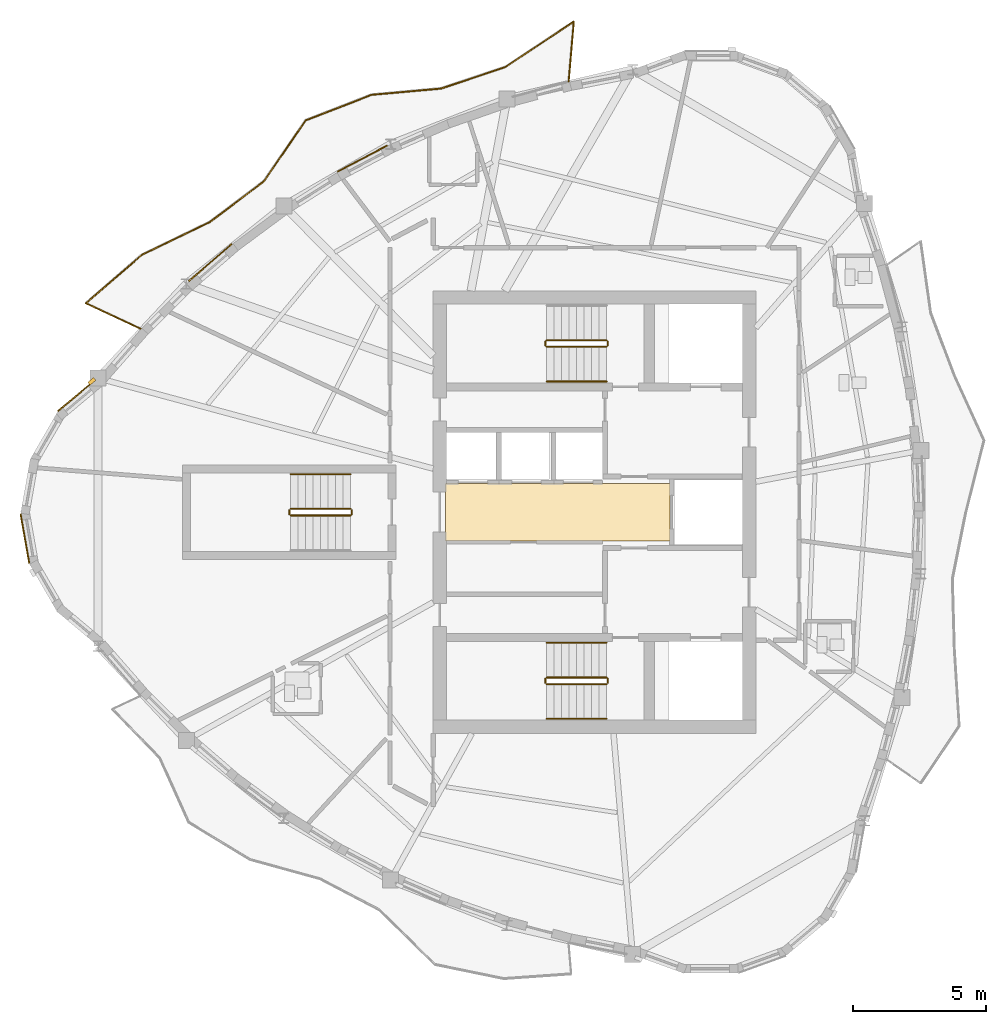
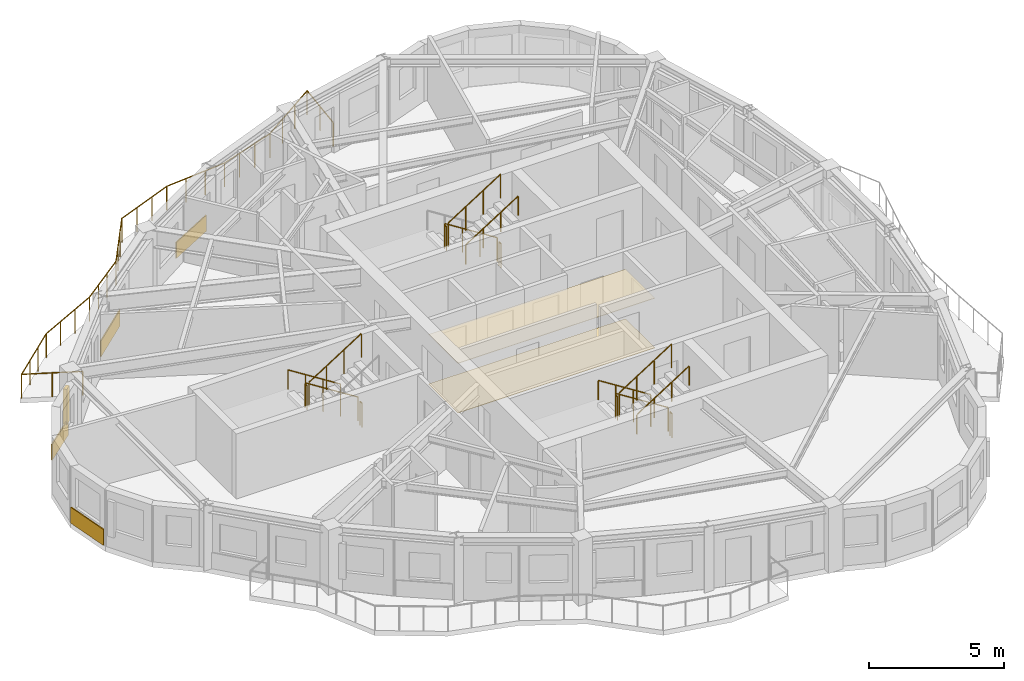
# One storey, part 10 of 12: 17 railings, 6 coverings, 1 shading device.
"""IFC4 building model written with IfcOpenShell, lengths in metres."""

from ifc_helpers import new_model, si_unit, direction, frame, origin, origin_2d, place, context, subcontext, project, spatial, polyline, rectangle, circle, outline, extrude, source, transform, mapped, material, layer, layer_set, type_object, element, save


model = new_model("IFC4")

# Units and contexts
model_context = context("Model", 3, precision=1e-05, world=origin(), true_north=direction((0.0, 1.0)))
body_context = subcontext(model_context, "Body", "Model", "MODEL_VIEW")
ifc_project = project(units=[si_unit("LENGTHUNIT", "METRE"), si_unit("AREAUNIT", "SQUARE_METRE"), si_unit("VOLUMEUNIT", "CUBIC_METRE"), si_unit("PLANEANGLEUNIT", "RADIAN"), si_unit("MASSUNIT", "GRAM", prefix="KILO")], contexts=[model_context])

# Site, building, storey
site_placement = place(None, origin())
site = spatial("IfcSite", under=ifc_project, at=site_placement, CompositionType="ELEMENT")
building_placement = place(site_placement, origin())
building = spatial("IfcBuilding", under=site, at=building_placement, Name="Qafzar Sky-Pleat Residences", CompositionType="ELEMENT")
storey_placement = place(building_placement, frame((0.0, 0.0, 202.0)))
storey = spatial("IfcBuildingStorey", under=building, at=storey_placement, Name="L60", CompositionType="ELEMENT", Elevation=202.0)

# Coverings
ifc_material_1 = material(Name="Perforated acoustic gypsum board ceiling")
ifc_layer_1 = layer(ifc_material_1, 0.02001953125)
ifc_layer_set_1 = layer_set([ifc_layer_1], Name="Perforated acoustic gypsum board ceiling")
covering_type_1 = type_object("IfcCoveringType", Name="COV-CEIL-ACOUSTIC", PredefinedType="CEILING", material=ifc_layer_set_1)
covering_1_placement = place(storey_placement, frame((0.0, 0.0, 2.239990234375)))
element("IfcCovering", 1, at=covering_1_placement, inside=storey, type_object=covering_type_1, Name="L60 Passenger Lift Lobby Acoustic Ceiling", PredefinedType="CEILING", context=body_context, shape_type="SweptSolid", body=[
    extrude(outline(polyline([(33.179931640625, 24.919921875), (24.77001953125, 24.919921875), (24.77001953125, 27.080078125), (33.179931640625, 27.080078125), (33.179931640625, 24.919921875)])), origin(), (0.0, 0.0, 1.0), 0.02001953125),
])
ifc_material_2 = material(Name="Honed porcelain and Riyadh stone tile flooring", Category="masonry")
ifc_layer_2 = layer(ifc_material_2, 0.02001953125)
ifc_layer_set_2 = layer_set([ifc_layer_2], Name="Honed porcelain and Riyadh stone tile flooring")
covering_type_2 = type_object("IfcCoveringType", Name="COV-FLR-PORCELAIN", PredefinedType="FLOORING", material=ifc_layer_set_2)
covering_2_placement = place(storey_placement, origin())
element("IfcCovering", 2, at=covering_2_placement, inside=storey, type_object=covering_type_2, Name="L60 Passenger Lift Lobby Honed Stone Flooring", PredefinedType="FLOORING", context=body_context, shape_type="SweptSolid", body=[
    extrude(outline(polyline([(33.179931640625, 24.919921875), (24.77001953125, 24.919921875), (24.77001953125, 27.080078125), (33.179931640625, 27.080078125), (33.179931640625, 24.919921875)])), origin(), (0.0, 0.0, 1.0), 0.02001953125),
])

# Shading device
ifc_material_3 = material(Name="Honed Riyadh limestone solar fin", Category="masonry")
ifc_layer_3 = layer(ifc_material_3, 0.139892578125)
ifc_layer_set_3 = layer_set([ifc_layer_3], Name="Honed Riyadh limestone solar fin")
shading_device_type = type_object("IfcShadingDeviceType", Name="SHD-FIN-STONE", PredefinedType="SHUTTER", material=ifc_layer_set_3)
shared_shape_1 = source(origin(), body_context, "Body", "SweptSolid", [
    extrude(rectangle(XDim=0.139892578125, YDim=0.280029296875, at=origin_2d()), origin(), (0.0, 0.0, 1.0), 1.60009765625),
])
shading_device_placement = place(storey_placement, frame((11.498046875, 30.90478515625, 0.599853515625), z_axis=(0.0, 0.0, 1.0), x_axis=(-0.642754210861, 0.76607246682, 0.0)))
element("IfcShadingDevice", 3, at=shading_device_placement, inside=storey, type_object=shading_device_type, Name="L60 Limestone Solar Fin 1", PredefinedType="SHUTTER", context=body_context, shape_type="MappedRepresentation", body=[
    mapped(shared_shape_1, transform((0.0, 0.0, 0.0), x_axis=(1.0, 0.0, 0.0), y_axis=(0.0, 1.0, 0.0), z_axis=(0.0, 0.0, 1.0), scale=1.0)),
])

# Covering
ifc_material_4 = material(Name="Honed Riyadh Tuwaiq limestone cladding", Category="masonry")
ifc_layer_4 = layer(ifc_material_4, 0.044921875)
ifc_layer_set_4 = layer_set([ifc_layer_4], Name="Honed Riyadh Tuwaiq limestone cladding")
covering_type_3 = type_object("IfcCoveringType", Name="COV-CLAD-STONE", PredefinedType="CLADDING", material=ifc_layer_set_4)
shared_shape_2 = source(origin(), body_context, "Body", "SweptSolid", [
    extrude(rectangle(XDim=1.88134765625, YDim=0.044921875, at=origin_2d()), origin(), (0.0, 0.0, 1.0), 0.719970703125),
])
covering_3_placement = place(storey_placement, frame((8.993408203125, 25.00439453125, 0.02001953125), z_axis=(0.0, 0.0, 1.0), x_axis=(0.173662519465, -0.984805224059, 0.0)))
element("IfcCovering", 4, at=covering_3_placement, inside=storey, type_object=covering_type_3, Name="L60 Riyadh Limestone Spandrel Cladding 4", PredefinedType="CLADDING", context=body_context, shape_type="MappedRepresentation", body=[
    mapped(shared_shape_2, transform((0.0, 0.0, 0.0), x_axis=(1.0, 0.0, 0.0), y_axis=(0.0, 1.0, 0.0), z_axis=(0.0, 0.0, 1.0), scale=1.0)),
])

# Railing
ifc_material_5 = material(Name="Laminated glass and bronze steel balustrade", Category="steel")
railing_type_1 = type_object("IfcRailingType", Name="RAIL-BAL-1100", PredefinedType="BALUSTRADE", material=ifc_material_5)
shared_shape_3 = source(origin(), body_context, "Body", "SweptSolid", [
    extrude(circle(Radius=0.02392578125, at=origin_2d()), frame((0.0, 0.0, 1.076171875), z_axis=(0.085358453155, 0.996350307108, 0.0), x_axis=(-0.996350307108, 0.085358453155, 0.0)), (0.0, 0.0, 1.0), 2.27099609375),
    extrude(circle(Radius=0.02392578125, at=origin_2d()), frame((0.19384765625, 2.2626953125, 1.076171875), z_axis=(-0.833250144576, -0.552896189682, 0.0), x_axis=(0.552896189682, -0.833250144576, 0.0)), (0.0, 0.0, 1.0), 3.093994140625),
    extrude(circle(Radius=0.02392578125, at=origin_2d()), frame((-2.38427734375, 0.552001953125, 1.076171875), z_axis=(-0.948692940758, -0.316198836425, 0.0), x_axis=(0.316198836425, -0.948692940758, 0.0)), (0.0, 0.0, 1.0), 2.53173828125),
    extrude(circle(Radius=0.02392578125, at=origin_2d()), frame((-4.7861328125, -0.24853515625, 1.076171875), z_axis=(-0.99596725281, -0.089717508496, 0.0), x_axis=(0.089717508496, -0.99596725281, 0.0)), (0.0, 0.0, 1.0), 2.609619140625),
    extrude(circle(Radius=0.02392578125, at=origin_2d()), frame((-7.38525390625, -0.482666015625, 1.076171875), z_axis=(-0.932168391901, -0.362024984139, 0.0), x_axis=(0.362024984139, -0.932168391901, 0.0)), (0.0, 0.0, 1.0), 2.656982421875),
    extrude(circle(Radius=0.02392578125, at=origin_2d()), frame((-9.862060546875, -1.444580078125, 1.076171875), z_axis=(-0.565649900182, -0.824645493787, 0.0), x_axis=(0.824645493787, -0.565649900182, 0.0)), (0.0, 0.0, 1.0), 2.771484375),
    extrude(circle(Radius=0.02392578125, at=origin_2d()), frame((-11.4296875, -3.72998046875, 1.076171875), z_axis=(-0.798504701053, -0.601988573311, 0.0), x_axis=(0.601988573311, -0.798504701053, 0.0)), (0.0, 0.0, 1.0), 2.511962890625),
    extrude(circle(Radius=0.02392578125, at=origin_2d()), frame((-13.435546875, -5.2421875, 1.076171875), z_axis=(-0.900251456153, -0.435370320181, 0.0), x_axis=(0.435370320181, -0.900251456153, 0.0)), (0.0, 0.0, 1.0), 2.845947265625),
    extrude(circle(Radius=0.02392578125, at=origin_2d()), frame((-15.99755859375, -6.481201171875, 1.076171875), z_axis=(-0.756453597998, -0.654047363786, 0.0), x_axis=(0.654047363786, -0.756453597998, 0.0)), (0.0, 0.0, 1.0), 2.77978515625),
    extrude(circle(Radius=0.02392578125, at=origin_2d()), frame((-18.100341796875, -8.29931640625, 1.076171875), z_axis=(0.905511863564, -0.424320945683, 0.0), x_axis=(0.424320945683, 0.905511863564, 0.0)), (0.0, 0.0, 1.0), 2.27099609375),
    extrude(circle(Radius=0.02099609375, at=origin_2d()), origin(), (0.0, 0.0, 1.0), 1.052001953125),
    extrude(circle(Radius=0.02099609375, at=origin_2d()), frame((0.096923828125, 1.13134765625, 0.0)), (0.0, 0.0, 1.0), 1.052001953125),
    extrude(circle(Radius=0.02099609375, at=origin_2d()), frame((0.19384765625, 2.2626953125, 0.0)), (0.0, 0.0, 1.0), 1.052001953125),
    extrude(circle(Radius=0.02099609375, at=origin_2d()), frame((-0.66552734375, 1.6923828125, 0.0)), (0.0, 0.0, 1.0), 1.052001953125),
    extrude(circle(Radius=0.02099609375, at=origin_2d()), frame((-1.52490234375, 1.122314453125, 0.0)), (0.0, 0.0, 1.0), 1.052001953125),
    extrude(circle(Radius=0.02099609375, at=origin_2d()), frame((-2.38427734375, 0.552001953125, 0.0)), (0.0, 0.0, 1.0), 1.052001953125),
    extrude(circle(Radius=0.02099609375, at=origin_2d()), frame((-3.184814453125, 0.28515625, 0.0)), (0.0, 0.0, 1.0), 1.052001953125),
    extrude(circle(Radius=0.02099609375, at=origin_2d()), frame((-3.985595703125, 0.018310546875, 0.0)), (0.0, 0.0, 1.0), 1.052001953125),
    extrude(circle(Radius=0.02099609375, at=origin_2d()), frame((-4.7861328125, -0.24853515625, 0.0)), (0.0, 0.0, 1.0), 1.052001953125),
    extrude(circle(Radius=0.02099609375, at=origin_2d()), frame((-5.652587890625, -0.32666015625, 0.0)), (0.0, 0.0, 1.0), 1.052001953125),
    extrude(circle(Radius=0.02099609375, at=origin_2d()), frame((-6.518798828125, -0.404541015625, 0.0)), (0.0, 0.0, 1.0), 1.052001953125),
    extrude(circle(Radius=0.02099609375, at=origin_2d()), frame((-7.38525390625, -0.482666015625, 0.0)), (0.0, 0.0, 1.0), 1.052001953125),
    extrude(circle(Radius=0.02099609375, at=origin_2d()), frame((-8.2109375, -0.80322265625, 0.0)), (0.0, 0.0, 1.0), 1.052001953125),
    extrude(circle(Radius=0.02099609375, at=origin_2d()), frame((-9.036376953125, -1.1240234375, 0.0)), (0.0, 0.0, 1.0), 1.052001953125),
    extrude(circle(Radius=0.02099609375, at=origin_2d()), frame((-9.862060546875, -1.444580078125, 0.0)), (0.0, 0.0, 1.0), 1.052001953125),
    extrude(circle(Radius=0.02099609375, at=origin_2d()), frame((-10.384521484375, -2.206298828125, 0.0)), (0.0, 0.0, 1.0), 1.052001953125),
    extrude(circle(Radius=0.02099609375, at=origin_2d()), frame((-10.9072265625, -2.96826171875, 0.0)), (0.0, 0.0, 1.0), 1.052001953125),
    extrude(circle(Radius=0.02099609375, at=origin_2d()), frame((-11.4296875, -3.72998046875, 0.0)), (0.0, 0.0, 1.0), 1.052001953125),
    extrude(circle(Radius=0.02099609375, at=origin_2d()), frame((-12.098388671875, -4.234130859375, 0.0)), (0.0, 0.0, 1.0), 1.052001953125),
    extrude(circle(Radius=0.02099609375, at=origin_2d()), frame((-12.766845703125, -4.738037109375, 0.0)), (0.0, 0.0, 1.0), 1.052001953125),
    extrude(circle(Radius=0.02099609375, at=origin_2d()), frame((-13.435546875, -5.2421875, 0.0)), (0.0, 0.0, 1.0), 1.052001953125),
    extrude(circle(Radius=0.02099609375, at=origin_2d()), frame((-14.28955078125, -5.6552734375, 0.0)), (0.0, 0.0, 1.0), 1.052001953125),
    extrude(circle(Radius=0.02099609375, at=origin_2d()), frame((-15.1435546875, -6.068115234375, 0.0)), (0.0, 0.0, 1.0), 1.052001953125),
    extrude(circle(Radius=0.02099609375, at=origin_2d()), frame((-15.99755859375, -6.481201171875, 0.0)), (0.0, 0.0, 1.0), 1.052001953125),
    extrude(circle(Radius=0.02099609375, at=origin_2d()), frame((-16.698486328125, -7.087158203125, 0.0)), (0.0, 0.0, 1.0), 1.052001953125),
    extrude(circle(Radius=0.02099609375, at=origin_2d()), frame((-17.3994140625, -7.693359375, 0.0)), (0.0, 0.0, 1.0), 1.052001953125),
    extrude(circle(Radius=0.02099609375, at=origin_2d()), frame((-18.100341796875, -8.29931640625, 0.0)), (0.0, 0.0, 1.0), 1.052001953125),
    extrude(circle(Radius=0.02099609375, at=origin_2d()), frame((-17.072265625, -8.78125, 0.0)), (0.0, 0.0, 1.0), 1.052001953125),
    extrude(circle(Radius=0.02099609375, at=origin_2d()), frame((-16.0439453125, -9.262939453125, 0.0)), (0.0, 0.0, 1.0), 1.052001953125),
])
railing_placement = place(storey_placement, frame((29.38134765625, 42.13330078125, 0.0)))
element("IfcRailing", 5, at=railing_placement, inside=storey, type_object=railing_type_1, Name="L60 Pleated Balcony 2 Balustrade", PredefinedType="BALUSTRADE", context=body_context, shape_type="MappedRepresentation", body=[
    mapped(shared_shape_3, transform((0.0, 0.0, 0.0), x_axis=(1.0, 0.0, 0.0), y_axis=(0.0, 1.0, 0.0), z_axis=(0.0, 0.0, 1.0), scale=1.0)),
])

# Coverings
shared_shape_4 = source(origin(), body_context, "Body", "SweptSolid", [
    extrude(rectangle(XDim=1.76611328125, YDim=0.044921875, at=origin_2d()), origin(), (0.0, 0.0, 1.0), 0.719970703125),
])
covering_4_placement = place(storey_placement, frame((10.9052734375, 30.351318359375, 0.02001953125), z_axis=(0.0, 0.0, 1.0), x_axis=(-0.76607417096, -0.642752179762, 0.0)))
element("IfcCovering", 6, at=covering_4_placement, inside=storey, type_object=covering_type_3, Name="L60 Riyadh Limestone Spandrel Cladding 1", PredefinedType="CLADDING", context=body_context, shape_type="MappedRepresentation", body=[
    mapped(shared_shape_4, transform((0.0, 0.0, 0.0), x_axis=(1.0, 0.0, 0.0), y_axis=(0.0, 1.0, 0.0), z_axis=(0.0, 0.0, 1.0), scale=1.0)),
])
shared_shape_5 = source(origin(), body_context, "Body", "SweptSolid", [
    extrude(rectangle(XDim=2.100341796875, YDim=0.044921875, at=origin_2d()), origin(), (0.0, 0.0, 1.0), 0.719970703125),
])
covering_5_placement = place(storey_placement, frame((21.64892578125, 39.25830078125, 0.02001953125), z_axis=(0.0, 0.0, 1.0), x_axis=(-0.88438131344, -0.46676513627, 0.0)))
element("IfcCovering", 7, at=covering_5_placement, inside=storey, type_object=covering_type_3, Name="L60 Riyadh Limestone Spandrel Cladding 43", PredefinedType="CLADDING", context=body_context, shape_type="MappedRepresentation", body=[
    mapped(shared_shape_5, transform((0.0, 0.0, 0.0), x_axis=(1.0, 0.0, 0.0), y_axis=(0.0, 1.0, 0.0), z_axis=(0.0, 0.0, 1.0), scale=1.0)),
])
shared_shape_6 = source(origin(), body_context, "Body", "SweptSolid", [
    extrude(rectangle(XDim=2.135986328125, YDim=0.044921875, at=origin_2d()), origin(), (0.0, 0.0, 1.0), 0.719970703125),
])
covering_6_placement = place(storey_placement, frame((15.944091796875, 35.35986328125, 0.02001953125), z_axis=(0.0, 0.0, 1.0), x_axis=(-0.757478216227, -0.652860438334, 0.0)))
element("IfcCovering", 8, at=covering_6_placement, inside=storey, type_object=covering_type_3, Name="L60 Riyadh Limestone Spandrel Cladding 46", PredefinedType="CLADDING", context=body_context, shape_type="MappedRepresentation", body=[
    mapped(shared_shape_6, transform((0.0, 0.0, 0.0), x_axis=(1.0, 0.0, 0.0), y_axis=(0.0, 1.0, 0.0), z_axis=(0.0, 0.0, 1.0), scale=1.0)),
])

# Railings
ifc_material_6 = material(Name="Painted Steel S355 stair guardrail", Category="steel")
railing_type_2 = type_object("IfcRailingType", Name="RAIL-STAIR-GUARD", PredefinedType="GUARDRAIL", material=ifc_material_6)
shared_shape_7 = source(origin(), body_context, "Body", "SweptSolid", [
    extrude(circle(Radius=0.02392578125, at=origin_2d()), frame((0.0, 0.0, 1.076171875), z_axis=(0.0, -1.0, 0.0), x_axis=(1.0, 0.0, 0.0)), (0.0, 0.0, 1.0), 0.14990234375),
    extrude(circle(Radius=0.02099609375, at=origin_2d()), origin(), (0.0, 0.0, 1.0), 1.052001953125),
    extrude(circle(Radius=0.02099609375, at=origin_2d()), frame((0.0, -0.14990234375, 0.0)), (0.0, 0.0, 1.0), 1.052001953125),
])
for number, where, name in (
    (9, (28.510009765625, 19.75, 1.60009765625), "L60 ST1 stair guard 2"),
    (10, (30.85009765625, 19.75, 0.0), "L60 ST1 stair guard 4"),
    (11, (28.510009765625, 32.39990234375, 1.60009765625), "L60 ST2 stair guard 2"),
    (12, (30.85009765625, 32.39990234375, 0.0), "L60 ST2 stair guard 4"),
    (13, (18.909912109375, 26.074951171875, 1.60009765625), "L60 ST3 stair guard 2"),
    (14, (21.25, 26.074951171875, 0.0), "L60 ST3 stair guard 4"),
):
    element("IfcRailing", number, at=place(storey_placement, frame(where)), inside=storey, type_object=railing_type_2, Name=name, PredefinedType="GUARDRAIL", context=body_context, shape_type="MappedRepresentation", body=[
        mapped(shared_shape_7, transform((0.0, 0.0, 0.0), x_axis=(1.0, 0.0, 0.0), y_axis=(0.0, 1.0, 0.0), z_axis=(0.0, 0.0, 1.0), scale=1.0)),
    ])
shared_shape_8 = source(origin(), body_context, "Body", "SweptSolid", [
    extrude(circle(Radius=0.02392578125, at=origin_2d()), frame((0.0, 0.0, 1.076171875), z_axis=(0.8442293374, 0.0, 0.53598211339), x_axis=(0.0, 1.0, 0.0)), (0.0, 0.0, 1.0), 2.6533203125),
    extrude(circle(Radius=0.02099609375, at=origin_2d()), origin(), (0.0, 0.0, 1.0), 1.052001953125),
    extrude(circle(Radius=0.02099609375, at=origin_2d()), frame((0.74658203125, 0.0, 0.47412109375)), (0.0, 0.0, 1.0), 1.052001953125),
    extrude(circle(Radius=0.02099609375, at=origin_2d()), frame((1.493408203125, 0.0, 0.947998046875)), (0.0, 0.0, 1.0), 1.052001953125),
    extrude(circle(Radius=0.02099609375, at=origin_2d()), frame((2.239990234375, 0.0, 1.422119140625)), (0.0, 0.0, 1.0), 1.052001953125),
])
for number, where, name in (
    (15, (28.56005859375, 19.550048828125, 1.77783203125), "L60 ST1 stair guard 3"),
    (16, (28.56005859375, 32.199951171875, 1.77783203125), "L60 ST2 stair guard 3"),
    (17, (18.9599609375, 25.875, 1.77783203125), "L60 ST3 stair guard 3"),
):
    element("IfcRailing", number, at=place(storey_placement, frame(where)), inside=storey, type_object=railing_type_2, Name=name, PredefinedType="GUARDRAIL", context=body_context, shape_type="MappedRepresentation", body=[
        mapped(shared_shape_8, transform((0.0, 0.0, 0.0), x_axis=(1.0, 0.0, 0.0), y_axis=(0.0, 1.0, 0.0), z_axis=(0.0, 0.0, 1.0), scale=1.0)),
    ])
ifc_material_7 = material(Name="Brushed stainless steel handrail", Category="steel")
railing_type_3 = type_object("IfcRailingType", Name="RAIL-STAIR-HAND", PredefinedType="HANDRAIL", material=ifc_material_7)
shared_shape_9 = source(origin(), body_context, "Body", "SweptSolid", [
    extrude(circle(Radius=0.02392578125, at=origin_2d()), frame((0.0, 0.0, 0.8759765625), z_axis=(0.8442293374, 0.0, 0.53598211339), x_axis=(0.0, 1.0, 0.0)), (0.0, 0.0, 1.0), 2.6533203125),
    extrude(circle(Radius=0.02099609375, at=origin_2d()), origin(), (0.0, 0.0, 1.0), 0.851806640625),
    extrude(circle(Radius=0.02099609375, at=origin_2d()), frame((0.74658203125, 0.0, 0.47412109375)), (0.0, 0.0, 1.0), 0.851806640625),
    extrude(circle(Radius=0.02099609375, at=origin_2d()), frame((1.493408203125, 0.0, 0.947998046875)), (0.0, 0.0, 1.0), 0.851806640625),
    extrude(circle(Radius=0.02099609375, at=origin_2d()), frame((2.239990234375, 0.0, 1.422119140625)), (0.0, 0.0, 1.0), 0.851806640625),
])
for number, where, name in (
    (18, (28.56005859375, 18.25, 1.77783203125), "L60 ST1 stair handrail 2"),
    (19, (28.56005859375, 30.89990234375, 1.77783203125), "L60 ST2 stair handrail 2"),
):
    element("IfcRailing", number, at=place(storey_placement, frame(where)), inside=storey, type_object=railing_type_3, Name=name, PredefinedType="HANDRAIL", context=body_context, shape_type="MappedRepresentation", body=[
        mapped(shared_shape_9, transform((0.0, 0.0, 0.0), x_axis=(1.0, 0.0, 0.0), y_axis=(0.0, 1.0, 0.0), z_axis=(0.0, 0.0, 1.0), scale=1.0)),
    ])
shared_shape_10 = source(origin(), body_context, "Body", "SweptSolid", [
    extrude(circle(Radius=0.02392578125, at=origin_2d()), frame((0.0, 0.0, 1.076171875), z_axis=(-0.84418770128, 0.0, 0.536047689118), x_axis=(0.0, -1.0, 0.0)), (0.0, 0.0, 1.0), 2.6533203125),
    extrude(circle(Radius=0.02099609375, at=origin_2d()), origin(), (0.0, 0.0, 1.0), 1.052001953125),
    extrude(circle(Radius=0.02099609375, at=origin_2d()), frame((-0.74658203125, 0.0, 0.47412109375)), (0.0, 0.0, 1.0), 1.052001953125),
    extrude(circle(Radius=0.02099609375, at=origin_2d()), frame((-1.493408203125, 0.0, 0.9482421875)), (0.0, 0.0, 1.0), 1.052001953125),
    extrude(circle(Radius=0.02099609375, at=origin_2d()), frame((-2.239990234375, 0.0, 1.42236328125)), (0.0, 0.0, 1.0), 1.052001953125),
])
for number, where, name in (
    (20, (30.800048828125, 19.800048828125, 0.177734375), "L60 ST1 stair guard 1"),
    (21, (30.800048828125, 32.449951171875, 0.177734375), "L60 ST2 stair guard 1"),
    (22, (21.199951171875, 26.125, 0.177734375), "L60 ST3 stair guard 1"),
):
    element("IfcRailing", number, at=place(storey_placement, frame(where)), inside=storey, type_object=railing_type_2, Name=name, PredefinedType="GUARDRAIL", context=body_context, shape_type="MappedRepresentation", body=[
        mapped(shared_shape_10, transform((0.0, 0.0, 0.0), x_axis=(1.0, 0.0, 0.0), y_axis=(0.0, 1.0, 0.0), z_axis=(0.0, 0.0, 1.0), scale=1.0)),
    ])
shared_shape_11 = source(origin(), body_context, "Body", "SweptSolid", [
    extrude(circle(Radius=0.02392578125, at=origin_2d()), frame((0.0, 0.0, 0.8759765625), z_axis=(-0.84418770128, 0.0, 0.536047689118), x_axis=(0.0, -1.0, 0.0)), (0.0, 0.0, 1.0), 2.6533203125),
    extrude(circle(Radius=0.02099609375, at=origin_2d()), origin(), (0.0, 0.0, 1.0), 0.851806640625),
    extrude(circle(Radius=0.02099609375, at=origin_2d()), frame((-0.74658203125, 0.0, 0.47412109375)), (0.0, 0.0, 1.0), 0.851806640625),
    extrude(circle(Radius=0.02099609375, at=origin_2d()), frame((-1.493408203125, 0.0, 0.9482421875)), (0.0, 0.0, 1.0), 0.851806640625),
    extrude(circle(Radius=0.02099609375, at=origin_2d()), frame((-2.239990234375, 0.0, 1.42236328125)), (0.0, 0.0, 1.0), 0.851806640625),
])
for number, where, name in (
    (23, (30.800048828125, 21.10009765625, 0.177734375), "L60 ST1 stair handrail 1"),
    (24, (21.199951171875, 27.425048828125, 0.177734375), "L60 ST3 stair handrail 1"),
):
    element("IfcRailing", number, at=place(storey_placement, frame(where)), inside=storey, type_object=railing_type_3, Name=name, PredefinedType="HANDRAIL", context=body_context, shape_type="MappedRepresentation", body=[
        mapped(shared_shape_11, transform((0.0, 0.0, 0.0), x_axis=(1.0, 0.0, 0.0), y_axis=(0.0, 1.0, 0.0), z_axis=(0.0, 0.0, 1.0), scale=1.0)),
    ])

save(model, "model.ifc")
